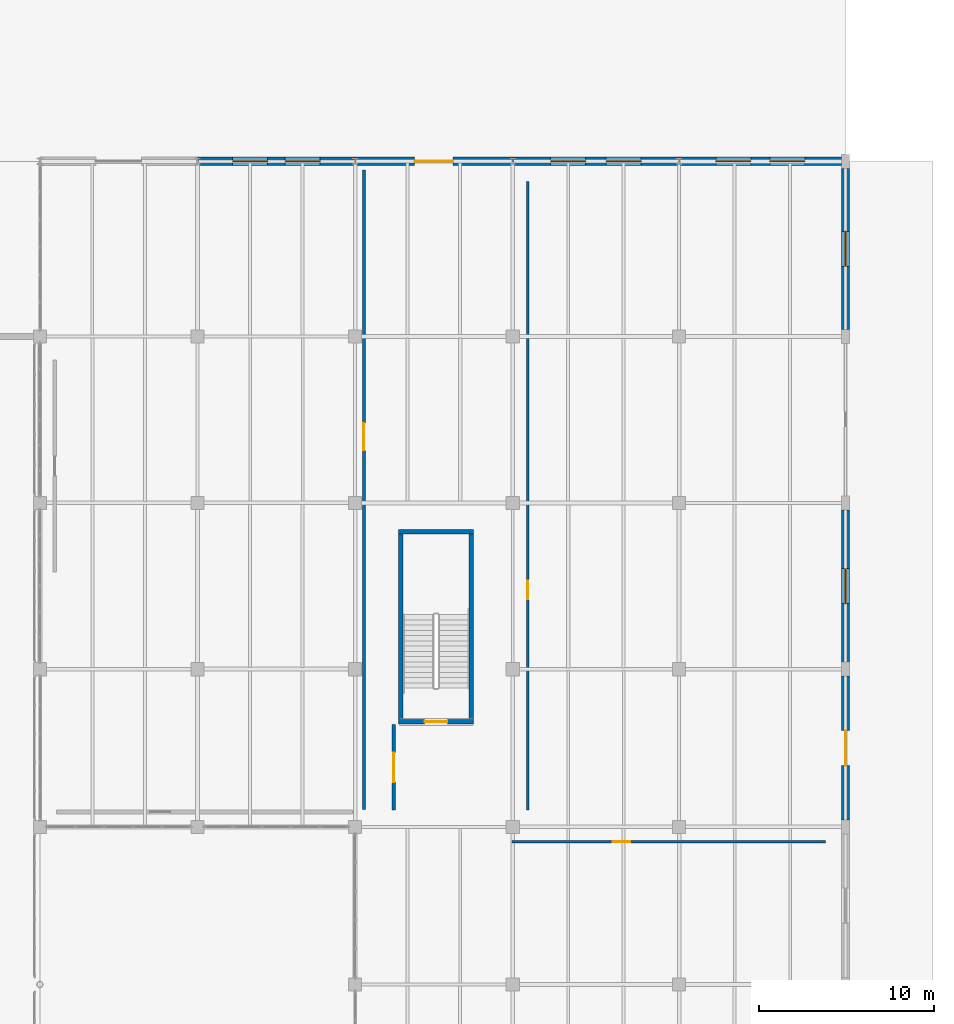
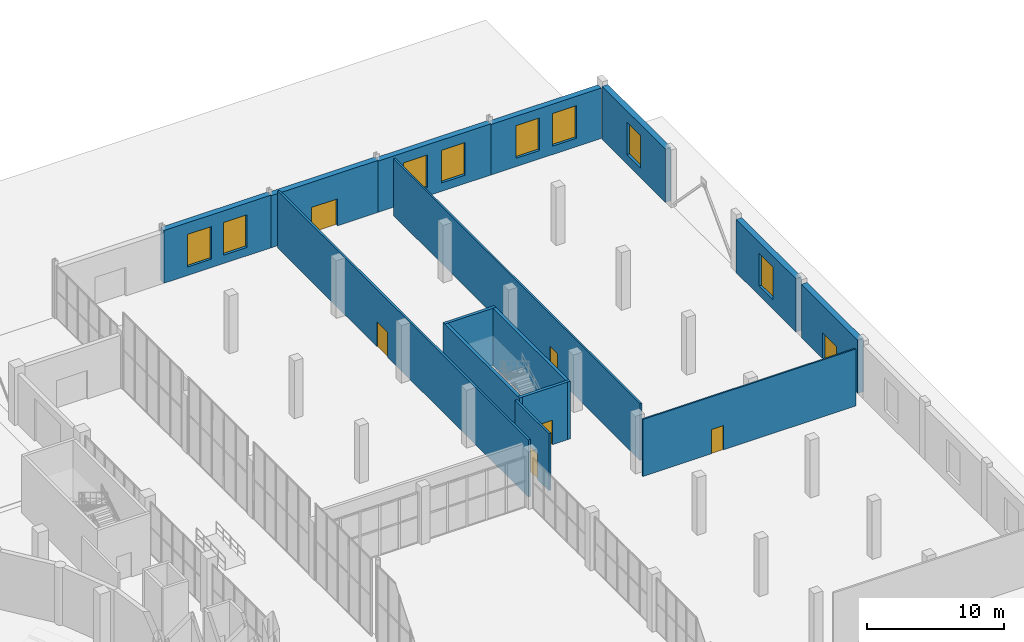
# One storey, part 89 of 103: 15 walls, 8 windows, 7 doors, 15 openings.
"""IFC4 building model written with IfcOpenShell, lengths in metres."""

import ifcopenshell
import ifcopenshell.guid

model = None  # the IFC model being written
_history = None  # IfcOwnerHistory: only IFC2X3 demands one
_inside = {}  # id of a spatial element -> (the spatial element, [elements in it])
_under = {}  # id of a project, library or spatial element -> (it, [spatial elements below it])
_declared = {}  # id of a project -> (the project, [libraries it declares])
_typed = {}  # id of a type object -> (the type object, [elements of that type])
_made_of = {}  # id of a material, layer set ... -> (it, [elements and type objects made of it])


def new_model(schema):
    """Start an empty IFC model of exactly this schema.

    Asked for "IFC4X3", IfcOpenShell would pick the latest addendum, in which some entities
    have other attributes; the version numbers below select the first issue.
    IFC2X3 requires an IfcOwnerHistory on every rooted entity: one is made here for all.
    """
    global model, _history
    if schema == "IFC4X3":
        model = ifcopenshell.file(schema_version=(4, 3, 0, 0))
    else:
        model = ifcopenshell.file(schema=schema)
    _inside.clear()
    _under.clear()
    _declared.clear()
    _typed.clear()
    _made_of.clear()
    _history = None
    if model.schema == "IFC2X3":
        org = make("IfcOrganization", Name="unknown")
        user = make(
            "IfcPersonAndOrganization",
            ThePerson=make("IfcPerson", FamilyName="unknown"),
            TheOrganization=org,
        )
        app = make(
            "IfcApplication",
            ApplicationDeveloper=org,
            Version="unknown",
            ApplicationFullName="unknown",
            ApplicationIdentifier="unknown",
        )
        _history = make(
            "IfcOwnerHistory",
            OwningUser=user,
            OwningApplication=app,
            ChangeAction="ADDED",
            CreationDate=0,
        )
    return model


def make(cls, **values):
    """One entity of the class cls with the attributes given. An attribute that is None is left unset."""
    return model.create_entity(
        cls, **{name: value for name, value in values.items() if value is not None}
    )


def rooted(cls, **values):
    """An entity with a GlobalId (a new one), such as an element, a storey or a relation."""
    return make(cls, GlobalId=ifcopenshell.guid.new(), OwnerHistory=_history, **values)


def si_unit(unit_type, name, prefix=None):
    """IfcSIUnit, for example si_unit("LENGTHUNIT", "METRE", prefix="MILLI")."""
    return make("IfcSIUnit", UnitType=unit_type, Prefix=prefix, Name=name)


def assignment(units):
    """IfcUnitAssignment: the units of a project."""
    return None if units is None else make("IfcUnitAssignment", Units=units)


def point(xyz):
    """IfcCartesianPoint."""
    return None if xyz is None else make("IfcCartesianPoint", Coordinates=xyz)


def direction(xyz):
    """IfcDirection."""
    return None if xyz is None else make("IfcDirection", DirectionRatios=xyz)


def frame(location, z_axis=None, x_axis=None):
    """IfcAxis2Placement3D, a coordinate frame: its origin and axes. An axis left out is left unset."""
    return make(
        "IfcAxis2Placement3D",
        Location=point(location),
        Axis=direction(z_axis),
        RefDirection=direction(x_axis),
    )


def frame_2d(location, x_axis=None):
    """IfcAxis2Placement2D, a coordinate frame in the plane: its origin and x axis."""
    return make(
        "IfcAxis2Placement2D", Location=point(location), RefDirection=direction(x_axis)
    )


def origin():
    """The frame at (0, 0, 0) with its axes left unset."""
    return frame((0.0, 0.0, 0.0))


def place(relative_to, where):
    """IfcLocalPlacement: puts the frame where relative to a parent placement (None: the world)."""
    return make(
        "IfcLocalPlacement", PlacementRelTo=relative_to, RelativePlacement=where
    )


def context(
    kind, dimensions, precision=None, world=None, true_north=None, identifier=None
):
    """IfcGeometricRepresentationContext, for example the 3D "Model" context."""
    return make(
        "IfcGeometricRepresentationContext",
        ContextIdentifier=identifier,
        ContextType=kind,
        CoordinateSpaceDimension=dimensions,
        Precision=precision,
        WorldCoordinateSystem=world,
        TrueNorth=true_north,
    )


def subcontext(parent, identifier, kind, view, scale=None):
    """IfcGeometricRepresentationSubContext, for example "Body" below "Model"."""
    return make(
        "IfcGeometricRepresentationSubContext",
        ContextIdentifier=identifier,
        ContextType=kind,
        ParentContext=parent,
        TargetScale=scale,
        TargetView=view,
    )


def project(units=None, contexts=None):
    """IfcProject with its units and contexts."""
    return rooted(
        "IfcProject",
        Name="project",
        RepresentationContexts=contexts,
        UnitsInContext=assignment(units),
    )


def spatial(cls, under=None, at=None, **own):
    """A site, building, storey or space (cls), placed at a placement, below another one or the project."""
    s = rooted(cls, ObjectPlacement=at, **own)
    if under is not None:
        _under.setdefault(under.id(), (under, []))[1].append(s)
    return s


def profile(cls, at=None, kind="AREA", **sizes):
    """A parametric profile (cls). Its sizes go by their IFC names, for example OverallWidth=200.0."""
    return make(cls, ProfileType=kind, Position=at, **sizes)


def rectangle(**sizes):
    """IfcRectangleProfileDef."""
    return profile("IfcRectangleProfileDef", **sizes)


def extrude(swept, where, along, depth):
    """IfcExtrudedAreaSolid: the profile swept, set in the frame where, extruded along a direction by depth."""
    return make(
        "IfcExtrudedAreaSolid",
        SweptArea=swept,
        Position=where,
        ExtrudedDirection=direction(along),
        Depth=depth,
    )


def shape(context_of_items, identifier, shape_type, items):
    """IfcShapeRepresentation: the items that make up one representation, for example the "Body"."""
    return make(
        "IfcShapeRepresentation",
        ContextOfItems=context_of_items,
        RepresentationIdentifier=identifier,
        RepresentationType=shape_type,
        Items=items,
    )


def material(Name=None, Category=None):
    """IfcMaterial."""
    return make("IfcMaterial", Name=Name, Category=Category)


def layer(
    of_material, thickness, ventilated=None, Name=None, Category=None, Priority=None
):
    """IfcMaterialLayer: one layer of a wall or slab, of a material (None: an air gap)."""
    return make(
        "IfcMaterialLayer",
        Material=of_material,
        LayerThickness=thickness,
        IsVentilated=ventilated,
        Name=Name,
        Category=Category,
        Priority=Priority,
    )


def layer_set(layers, Name=None):
    """IfcMaterialLayerSet."""
    return make("IfcMaterialLayerSet", MaterialLayers=layers, LayerSetName=Name)


def made_of(thing, what):
    """Note that an element or type object is made of a material, layer set ...; save() writes the relation."""
    if what is not None:
        _made_of.setdefault(what.id(), (what, []))[1].append(thing)
    return thing


def type_object(cls, material=None, **own):
    """A type object (cls), such as IfcWallType, which elements share."""
    return made_of(rooted(cls, **own), material)


def element(
    cls,
    number,
    at=None,
    inside=None,
    cuts=None,
    type_object=None,
    material=None,
    context=None,
    identifier="Body",
    shape_type=None,
    held_by="IfcProductDefinitionShape",
    body=None,
    shapes=None,
    **own,
):
    """One element of the class cls, such as IfcWall. Its Tag is "e" and its number.

    at: its placement. inside: the storey or other place that contains it. cuts: it is an
    opening in that element (IfcRelVoidsElement). A single representation is given by context,
    identifier, shape_type and body (its items); several are given by shapes. held_by: the class
    of the entity that holds the representations. save() writes the other relations.
    """
    e = rooted(cls, Tag="e%d" % number, ObjectPlacement=at, **own)
    if body is not None:
        shapes = [shape(context, identifier, shape_type, body)]
    if shapes is not None:
        e.Representation = make(held_by, Representations=shapes)
    if inside is not None:
        _inside.setdefault(inside.id(), (inside, []))[1].append(e)
    if cuts is not None:
        rooted(
            "IfcRelVoidsElement", RelatingBuildingElement=cuts, RelatedOpeningElement=e
        )
    if type_object is not None:
        _typed.setdefault(type_object.id(), (type_object, []))[1].append(e)
    return made_of(e, material)


def fill(opening, filler):
    """IfcRelFillsElement: the door or window that sits in an opening."""
    return rooted(
        "IfcRelFillsElement",
        RelatingOpeningElement=opening,
        RelatedBuildingElement=filler,
    )


def aggregate(whole, parts):
    """IfcRelAggregates: a whole, such as a stair, and the parts it consists of."""
    return rooted("IfcRelAggregates", RelatingObject=whole, RelatedObjects=parts)


def save(model, path):
    """Write the relations noted so far, then the file.

    IfcRelAggregates (storeys below a building ...), IfcRelContainedInSpatialStructure (elements
    in a storey), IfcRelDefinesByType, IfcRelAssociatesMaterial and IfcRelDeclares: one each for
    every whole, place, type object, material and project.
    """
    for whole, parts in _under.values():
        aggregate(whole, parts)
    for where, things in _inside.values():
        rooted(
            "IfcRelContainedInSpatialStructure",
            RelatedElements=things,
            RelatingStructure=where,
        )
    for kind, things in _typed.values():
        rooted("IfcRelDefinesByType", RelatedObjects=things, RelatingType=kind)
    for what, things in _made_of.values():
        rooted("IfcRelAssociatesMaterial", RelatedObjects=things, RelatingMaterial=what)
    for by, libraries in _declared.values():
        rooted("IfcRelDeclares", RelatingContext=by, RelatedDefinitions=libraries)
    model.write(path)


model = new_model("IFC4")

# Units and contexts
model_context = context("Model", 3, precision=1e-05, world=origin(), true_north=direction((0.0, 1.0)))
body_context = subcontext(model_context, "Body", "Model", "MODEL_VIEW")
ifc_project = project(units=[si_unit("LENGTHUNIT", "METRE"), si_unit("AREAUNIT", "SQUARE_METRE"), si_unit("VOLUMEUNIT", "CUBIC_METRE"), si_unit("PLANEANGLEUNIT", "RADIAN"), si_unit("MASSUNIT", "GRAM", prefix="KILO")], contexts=[model_context])

# Site, building, storey
site_placement = place(None, origin())
site = spatial("IfcSite", under=ifc_project, at=site_placement, CompositionType="ELEMENT")
building_placement = place(site_placement, origin())
building = spatial("IfcBuilding", under=site, at=building_placement, Name="Marnock Terrace Opera House", CompositionType="ELEMENT")
storey_placement = place(building_placement, origin())
storey = spatial("IfcBuildingStorey", under=building, at=storey_placement, Name="L00", CompositionType="ELEMENT", Elevation=0.0)

# Wall, opening, door
ifc_material_1 = material(Name="Carey Gully rusticated stone masonry", Category="masonry")
ifc_layer_1 = layer(ifc_material_1, 0.47998046875)
ifc_layer_set_1 = layer_set([ifc_layer_1], Name="Carey Gully rusticated stone masonry")
wall_type_1 = type_object("IfcWallType", Name="EW-BASE-480", PredefinedType="SOLIDWALL", material=ifc_layer_set_1)
wall_1_placement = place(storey_placement, frame((164.0, 66.39599609375, 0.0), z_axis=(0.0, 0.0, 1.0), x_axis=(0.0, 1.0, 0.0)))
wall_1 = element("IfcWall", 1, at=wall_1_placement, inside=storey, type_object=wall_type_1, Name="L00 Volume 5 east sandstone facade 8", PredefinedType="SOLIDWALL", context=body_context, shape_type="SweptSolid", body=[
    extrude(rectangle(XDim=8.2080078125, YDim=0.47998046875, at=frame_2d((4.10400390625, 0.0))), origin(), (0.0, 0.0, 1.0), 4.7314453125),
])
opening_1_placement = place(wall_1_placement, frame((3.10400390625, 0.0, 0.0)))
opening_1 = element("IfcOpeningElement", 2, at=opening_1_placement, cuts=wall_1, Name="Opening ED-16", PredefinedType="OPENING", context=body_context, shape_type="SweptSolid", body=[
    extrude(rectangle(XDim=2.0, YDim=2.300048828125, at=frame_2d((1.0, 1.14990234375))), frame((0.0, 0.25, 0.0), z_axis=(0.0, -1.0, 0.0), x_axis=(1.0, 0.0, 0.0)), (0.0, 0.0, 1.0), 0.5),
])
ifc_material_2 = material(Name="Anodised architectural bronze aluminium framing", Category="aluminium")
door_type_1 = type_object("IfcDoorType", Name="DT-EXIT-2000", OperationType="NOTDEFINED", PredefinedType="DOOR", material=ifc_material_2)
door_1_placement = place(opening_1_placement, origin())
door_1 = element("IfcDoor", 3, at=door_1_placement, inside=storey, type_object=door_type_1, Name="Exterior door ED-16", OperationType="DOUBLE_DOOR_SINGLE_SWING", OverallHeight=2.300048828125, OverallWidth=2.0, PredefinedType="DOOR", context=body_context, shape_type="SweptSolid", body=[
    extrude(rectangle(XDim=2.0, YDim=2.300048828125, at=frame_2d((1.0, 1.14990234375))), frame((0.0, 0.02490234375, 0.0), z_axis=(0.0, -1.0, 0.0), x_axis=(1.0, 0.0, 0.0)), (0.0, 0.0, 1.0), 0.050048828125),
])
fill(opening_1, door_1)

# Wall, opening, window
wall_2_placement = place(storey_placement, frame((164.0, 75.39599609375, 0.0), z_axis=(0.0, 0.0, 1.0), x_axis=(0.0, 1.0, 0.0)))
wall_2 = element("IfcWall", 4, at=wall_2_placement, inside=storey, type_object=wall_type_1, Name="L00 Volume 5 east sandstone facade 9", PredefinedType="SOLIDWALL", context=body_context, shape_type="SweptSolid", body=[
    extrude(rectangle(XDim=8.7080078125, YDim=0.47998046875, at=frame_2d((4.35400390625, 0.0))), origin(), (0.0, 0.0, 1.0), 4.7314453125),
])
opening_2_placement = place(wall_2_placement, frame((3.35400390625, 0.0, 0.85009765625)))
opening_2 = element("IfcOpeningElement", 5, at=opening_2_placement, cuts=wall_2, Name="Opening WT-59", PredefinedType="OPENING", context=body_context, shape_type="SweptSolid", body=[
    extrude(rectangle(XDim=2.0, YDim=2.89990234375, at=frame_2d((1.0, 1.449951171875))), frame((0.0, 0.25, 0.0), z_axis=(0.0, -1.0, 0.0), x_axis=(1.0, 0.0, 0.0)), (0.0, 0.0, 1.0), 0.5),
])
ifc_material_3 = material(Name="Double-glazed acoustic low-E laminated glass", Category="glass")
window_type = type_object("IfcWindowType", Name="WT-ARCH-2000", PartitioningType="DOUBLE_PANEL_VERTICAL", PredefinedType="WINDOW", material=ifc_material_3)
window_1_placement = place(opening_2_placement, origin())
window_1 = element("IfcWindow", 6, at=window_1_placement, inside=storey, type_object=window_type, Name="L00 facade window EW-V5E-L00-09.1", OverallHeight=2.89990234375, OverallWidth=2.0, PartitioningType="SINGLE_PANEL", PredefinedType="WINDOW", context=body_context, shape_type="SweptSolid", body=[
    extrude(rectangle(XDim=2.0, YDim=2.89990234375, at=frame_2d((1.0, 1.449951171875))), frame((0.0, 0.030029296875, 0.0), z_axis=(0.0, -1.0, 0.0), x_axis=(1.0, 0.0, 0.0)), (0.0, 0.0, 1.0), 0.06005859375),
])
fill(opening_2, window_1)

wall_3_placement = place(storey_placement, frame((164.0, 94.39599609375, 0.0), z_axis=(0.0, 0.0, 1.0), x_axis=(0.0, 1.0, 0.0)))
wall_3 = element("IfcWall", 7, at=wall_3_placement, inside=storey, type_object=wall_type_1, Name="L00 Volume 5 east sandstone facade 11", PredefinedType="SOLIDWALL", context=body_context, shape_type="SweptSolid", body=[
    extrude(rectangle(XDim=9.2080078125, YDim=0.47998046875, at=frame_2d((4.60400390625, 0.0))), origin(), (0.0, 0.0, 1.0), 4.7314453125),
])
opening_3_placement = place(wall_3_placement, frame((3.60400390625, 0.0, 0.85009765625)))
opening_3 = element("IfcOpeningElement", 8, at=opening_3_placement, cuts=wall_3, Name="Opening WT-59", PredefinedType="OPENING", context=body_context, shape_type="SweptSolid", body=[
    extrude(rectangle(XDim=2.0, YDim=2.89990234375, at=frame_2d((1.0, 1.449951171875))), frame((0.0, 0.25, 0.0), z_axis=(0.0, -1.0, 0.0), x_axis=(1.0, 0.0, 0.0)), (0.0, 0.0, 1.0), 0.5),
])
window_2_placement = place(opening_3_placement, origin())
window_2 = element("IfcWindow", 9, at=window_2_placement, inside=storey, type_object=window_type, Name="L00 facade window EW-V5E-L00-11.1", OverallHeight=2.89990234375, OverallWidth=2.0, PartitioningType="SINGLE_PANEL", PredefinedType="WINDOW", context=body_context, shape_type="SweptSolid", body=[
    extrude(rectangle(XDim=2.0, YDim=2.89990234375, at=frame_2d((1.0, 1.449951171875))), frame((0.0, 0.030029296875, 0.0), z_axis=(0.0, -1.0, 0.0), x_axis=(1.0, 0.0, 0.0)), (0.0, 0.0, 1.0), 0.06005859375),
])
fill(opening_3, window_2)

# Wall, openings, windows
wall_4_placement = place(storey_placement, frame((127.0, 104.0, 0.0), z_axis=(0.0, 0.0, 1.0), x_axis=(1.0, 0.0, 0.0)))
wall_4 = element("IfcWall", 10, at=wall_4_placement, inside=storey, type_object=wall_type_1, Name="L00 Volume 5 north parklands facade 2", PredefinedType="SOLIDWALL", context=body_context, shape_type="SweptSolid", body=[
    extrude(rectangle(XDim=9.0, YDim=0.47998046875, at=frame_2d((4.5, 0.0))), origin(), (0.0, 0.0, 1.0), 4.6875),
])
opening_4_placement = place(wall_4_placement, frame((2.0, 0.0, 0.75)))
opening_4 = element("IfcOpeningElement", 11, at=opening_4_placement, cuts=wall_4, Name="Opening WT-59", PredefinedType="OPENING", context=body_context, shape_type="SweptSolid", body=[
    extrude(rectangle(XDim=2.0, YDim=2.89990234375, at=frame_2d((1.0, 1.449951171875))), frame((0.0, 0.25, 0.0), z_axis=(0.0, -1.0, 0.0), x_axis=(1.0, 0.0, 0.0)), (0.0, 0.0, 1.0), 0.5),
])
opening_5_placement = place(wall_4_placement, frame((5.0, 0.0, 0.75)))
opening_5 = element("IfcOpeningElement", 12, at=opening_5_placement, cuts=wall_4, Name="Opening WT-59", PredefinedType="OPENING", context=body_context, shape_type="SweptSolid", body=[
    extrude(rectangle(XDim=2.0, YDim=2.89990234375, at=frame_2d((1.0, 1.449951171875))), frame((0.0, 0.25, 0.0), z_axis=(0.0, -1.0, 0.0), x_axis=(1.0, 0.0, 0.0)), (0.0, 0.0, 1.0), 0.5),
])
window_3_placement = place(opening_4_placement, origin())
window_3 = element("IfcWindow", 13, at=window_3_placement, inside=storey, type_object=window_type, Name="L00 facade window EW-V5N-L00-2.1", OverallHeight=2.89990234375, OverallWidth=2.0, PartitioningType="SINGLE_PANEL", PredefinedType="WINDOW", context=body_context, shape_type="SweptSolid", body=[
    extrude(rectangle(XDim=2.0, YDim=2.89990234375, at=frame_2d((1.0, 1.449951171875))), frame((0.0, 0.030029296875, 0.0), z_axis=(0.0, -1.0, 0.0), x_axis=(1.0, 0.0, 0.0)), (0.0, 0.0, 1.0), 0.06005859375),
])
fill(opening_4, window_3)
window_4_placement = place(opening_5_placement, origin())
window_4 = element("IfcWindow", 14, at=window_4_placement, inside=storey, type_object=window_type, Name="L00 facade window EW-V5N-L00-2.2", OverallHeight=2.89990234375, OverallWidth=2.0, PartitioningType="SINGLE_PANEL", PredefinedType="WINDOW", context=body_context, shape_type="SweptSolid", body=[
    extrude(rectangle(XDim=2.0, YDim=2.89990234375, at=frame_2d((1.0, 1.449951171875))), frame((0.0, 0.030029296875, 0.0), z_axis=(0.0, -1.0, 0.0), x_axis=(1.0, 0.0, 0.0)), (0.0, 0.0, 1.0), 0.06005859375),
])
fill(opening_5, window_4)

# Wall, opening, door
wall_5_placement = place(storey_placement, frame((136.0, 104.0, 0.0), z_axis=(0.0, 0.0, 1.0), x_axis=(1.0, 0.0, 0.0)))
wall_5 = element("IfcWall", 15, at=wall_5_placement, inside=storey, type_object=wall_type_1, Name="L00 Volume 5 north parklands facade 3", PredefinedType="SOLIDWALL", context=body_context, shape_type="SweptSolid", body=[
    extrude(rectangle(XDim=9.0, YDim=0.47998046875, at=frame_2d((4.5, 0.0))), origin(), (0.0, 0.0, 1.0), 4.629638671875),
])
opening_6_placement = place(wall_5_placement, frame((3.39990234375, 0.0, 0.0)))
opening_6 = element("IfcOpeningElement", 16, at=opening_6_placement, cuts=wall_5, Name="Opening ED-22", PredefinedType="OPENING", context=body_context, shape_type="SweptSolid", body=[
    extrude(rectangle(XDim=2.199951171875, YDim=2.39990234375, at=frame_2d((1.10009765625, 1.199951171875))), frame((0.0, 0.25, 0.0), z_axis=(0.0, -1.0, 0.0), x_axis=(1.0, 0.0, 0.0)), (0.0, 0.0, 1.0), 0.5),
])
door_type_2 = type_object("IfcDoorType", Name="DT-EXIT-2200", OperationType="NOTDEFINED", PredefinedType="DOOR", material=ifc_material_2)
door_2_placement = place(opening_6_placement, origin())
door_2 = element("IfcDoor", 17, at=door_2_placement, inside=storey, type_object=door_type_2, Name="Exterior door ED-22", OperationType="DOUBLE_DOOR_SINGLE_SWING", OverallHeight=2.39990234375, OverallWidth=2.199951171875, PredefinedType="DOOR", context=body_context, shape_type="SweptSolid", body=[
    extrude(rectangle(XDim=2.199951171875, YDim=2.39990234375, at=frame_2d((1.10009765625, 1.199951171875))), frame((0.0, 0.02490234375, 0.0), z_axis=(0.0, -1.0, 0.0), x_axis=(1.0, 0.0, 0.0)), (0.0, 0.0, 1.0), 0.050048828125),
])
fill(opening_6, door_2)

# Wall, openings, windows
wall_6_placement = place(storey_placement, frame((145.0, 104.0, 0.0), z_axis=(0.0, 0.0, 1.0), x_axis=(1.0, 0.0, 0.0)))
wall_6 = element("IfcWall", 18, at=wall_6_placement, inside=storey, type_object=wall_type_1, Name="L00 Volume 5 north parklands facade 4", PredefinedType="SOLIDWALL", context=body_context, shape_type="SweptSolid", body=[
    extrude(rectangle(XDim=9.5, YDim=0.47998046875, at=frame_2d((4.75, 0.0))), origin(), (0.0, 0.0, 1.0), 4.556884765625),
])
opening_7_placement = place(wall_6_placement, frame((2.166748046875, 0.0, 0.75)))
opening_7 = element("IfcOpeningElement", 19, at=opening_7_placement, cuts=wall_6, Name="Opening WT-59", PredefinedType="OPENING", context=body_context, shape_type="SweptSolid", body=[
    extrude(rectangle(XDim=2.0, YDim=2.89990234375, at=frame_2d((1.0, 1.449951171875))), frame((0.0, 0.25, 0.0), z_axis=(0.0, -1.0, 0.0), x_axis=(1.0, 0.0, 0.0)), (0.0, 0.0, 1.0), 0.5),
])
opening_8_placement = place(wall_6_placement, frame((5.333251953125, 0.0, 0.75)))
opening_8 = element("IfcOpeningElement", 20, at=opening_8_placement, cuts=wall_6, Name="Opening WT-59", PredefinedType="OPENING", context=body_context, shape_type="SweptSolid", body=[
    extrude(rectangle(XDim=2.0, YDim=2.89990234375, at=frame_2d((1.0, 1.449951171875))), frame((0.0, 0.25, 0.0), z_axis=(0.0, -1.0, 0.0), x_axis=(1.0, 0.0, 0.0)), (0.0, 0.0, 1.0), 0.5),
])
window_5_placement = place(opening_7_placement, origin())
window_5 = element("IfcWindow", 21, at=window_5_placement, inside=storey, type_object=window_type, Name="L00 facade window EW-V5N-L00-4.1", OverallHeight=2.89990234375, OverallWidth=2.0, PartitioningType="SINGLE_PANEL", PredefinedType="WINDOW", context=body_context, shape_type="SweptSolid", body=[
    extrude(rectangle(XDim=2.0, YDim=2.89990234375, at=frame_2d((1.0, 1.449951171875))), frame((0.0, 0.030029296875, 0.0), z_axis=(0.0, -1.0, 0.0), x_axis=(1.0, 0.0, 0.0)), (0.0, 0.0, 1.0), 0.06005859375),
])
fill(opening_7, window_5)
window_6_placement = place(opening_8_placement, origin())
window_6 = element("IfcWindow", 22, at=window_6_placement, inside=storey, type_object=window_type, Name="L00 facade window EW-V5N-L00-4.2", OverallHeight=2.89990234375, OverallWidth=2.0, PartitioningType="SINGLE_PANEL", PredefinedType="WINDOW", context=body_context, shape_type="SweptSolid", body=[
    extrude(rectangle(XDim=2.0, YDim=2.89990234375, at=frame_2d((1.0, 1.449951171875))), frame((0.0, 0.030029296875, 0.0), z_axis=(0.0, -1.0, 0.0), x_axis=(1.0, 0.0, 0.0)), (0.0, 0.0, 1.0), 0.06005859375),
])
fill(opening_8, window_6)

wall_7_placement = place(storey_placement, frame((154.5, 104.0, 0.0), z_axis=(0.0, 0.0, 1.0), x_axis=(1.0, 0.0, 0.0)))
wall_7 = element("IfcWall", 23, at=wall_7_placement, inside=storey, type_object=wall_type_1, Name="L00 Volume 5 north parklands facade 5", PredefinedType="SOLIDWALL", context=body_context, shape_type="SweptSolid", body=[
    extrude(rectangle(XDim=9.279052734375, YDim=0.47998046875, at=frame_2d((4.6396484375, 0.0))), origin(), (0.0, 0.0, 1.0), 4.48291015625),
])
opening_9_placement = place(wall_7_placement, frame((2.093017578125, 0.0, 0.75)))
opening_9 = element("IfcOpeningElement", 24, at=opening_9_placement, cuts=wall_7, Name="Opening WT-59", PredefinedType="OPENING", context=body_context, shape_type="SweptSolid", body=[
    extrude(rectangle(XDim=2.0, YDim=2.89990234375, at=frame_2d((1.0, 1.449951171875))), frame((0.0, 0.25, 0.0), z_axis=(0.0, -1.0, 0.0), x_axis=(1.0, 0.0, 0.0)), (0.0, 0.0, 1.0), 0.5),
])
opening_10_placement = place(wall_7_placement, frame((5.18603515625, 0.0, 0.75)))
opening_10 = element("IfcOpeningElement", 25, at=opening_10_placement, cuts=wall_7, Name="Opening WT-59", PredefinedType="OPENING", context=body_context, shape_type="SweptSolid", body=[
    extrude(rectangle(XDim=2.0, YDim=2.89990234375, at=frame_2d((1.0, 1.449951171875))), frame((0.0, 0.25, 0.0), z_axis=(0.0, -1.0, 0.0), x_axis=(1.0, 0.0, 0.0)), (0.0, 0.0, 1.0), 0.5),
])
window_7_placement = place(opening_9_placement, origin())
window_7 = element("IfcWindow", 26, at=window_7_placement, inside=storey, type_object=window_type, Name="L00 facade window EW-V5N-L00-5.1", OverallHeight=2.89990234375, OverallWidth=2.0, PartitioningType="SINGLE_PANEL", PredefinedType="WINDOW", context=body_context, shape_type="SweptSolid", body=[
    extrude(rectangle(XDim=2.0, YDim=2.89990234375, at=frame_2d((1.0, 1.449951171875))), frame((0.0, 0.030029296875, 0.0), z_axis=(0.0, -1.0, 0.0), x_axis=(1.0, 0.0, 0.0)), (0.0, 0.0, 1.0), 0.06005859375),
])
fill(opening_9, window_7)
window_8_placement = place(opening_10_placement, origin())
window_8 = element("IfcWindow", 27, at=window_8_placement, inside=storey, type_object=window_type, Name="L00 facade window EW-V5N-L00-5.2", OverallHeight=2.89990234375, OverallWidth=2.0, PartitioningType="SINGLE_PANEL", PredefinedType="WINDOW", context=body_context, shape_type="SweptSolid", body=[
    extrude(rectangle(XDim=2.0, YDim=2.89990234375, at=frame_2d((1.0, 1.449951171875))), frame((0.0, 0.030029296875, 0.0), z_axis=(0.0, -1.0, 0.0), x_axis=(1.0, 0.0, 0.0)), (0.0, 0.0, 1.0), 0.06005859375),
])
fill(opening_10, window_8)

# Wall, opening, door
ifc_material_4 = material(Name="Rendered acoustic concrete blockwork", Category="masonry")
ifc_layer_2 = layer(ifc_material_4, 0.175048828125)
ifc_layer_set_2 = layer_set([ifc_layer_2], Name="Rendered acoustic concrete blockwork")
wall_type_2 = type_object("IfcWallType", Name="IW-FIRE-175", PredefinedType="PARTITIONING", material=ifc_layer_set_2)
wall_8_placement = place(storey_placement, frame((136.5, 67.0, 0.0), z_axis=(0.0, 0.0, 1.0), x_axis=(0.0, 1.0, 0.0)))
wall_8 = element("IfcWall", 28, at=wall_8_placement, inside=storey, type_object=wall_type_2, Name="L00 Protected exit passageway fire wall PW-EX-C8-W", PredefinedType="PARTITIONING", context=body_context, shape_type="SweptSolid", body=[
    extrude(rectangle(XDim=36.5, YDim=0.175048828125, at=frame_2d((18.25, 0.0))), origin(), (0.0, 0.0, 1.0), 5.080078125),
])
opening_11_placement = place(wall_8_placement, frame((20.5, 0.0, 0.0)))
opening_11 = element("IfcOpeningElement", 29, at=opening_11_placement, cuts=wall_8, Name="Opening PD-EX-C8", PredefinedType="OPENING", context=body_context, shape_type="SweptSolid", body=[
    extrude(rectangle(XDim=1.550048828125, YDim=2.219970703125, at=frame_2d((0.77490234375, 1.10986328125))), frame((0.0, 0.097412109375, 0.0), z_axis=(0.0, -1.0, 0.0), x_axis=(1.0, 0.0, 0.0)), (0.0, 0.0, 1.0), 0.195068359375),
])
ifc_material_5 = material(Name="Fire-rated acoustic timber-core door assembly", Category="wood")
door_type_3 = type_object("IfcDoorType", Name="DT-LOBBY-1550", OperationType="NOTDEFINED", PredefinedType="DOOR", material=ifc_material_5)
door_3_placement = place(opening_11_placement, origin())
door_3 = element("IfcDoor", 30, at=door_3_placement, inside=storey, type_object=door_type_3, Name="L00 Protected exit passageway self-closing smoke door PD-EX-C8", OperationType="SINGLE_SWING_LEFT", OverallHeight=2.219970703125, OverallWidth=1.550048828125, PredefinedType="DOOR", context=body_context, shape_type="SweptSolid", body=[
    extrude(rectangle(XDim=1.550048828125, YDim=2.219970703125, at=frame_2d((0.77490234375, 1.10986328125))), frame((0.0, 0.02490234375, 0.0), z_axis=(0.0, -1.0, 0.0), x_axis=(1.0, 0.0, 0.0)), (0.0, 0.0, 1.0), 0.050048828125),
])
fill(opening_11, door_3)

ifc_layer_3 = layer(ifc_material_4, 0.18505859375)
ifc_layer_set_3 = layer_set([ifc_layer_3], Name="Rendered acoustic concrete blockwork")
wall_type_3 = type_object("IfcWallType", Name="IW-FIRE-185", PredefinedType="PARTITIONING", material=ifc_layer_set_3)
wall_9_placement = place(storey_placement, frame((138.199951171875, 66.949951171875, 0.0), z_axis=(0.0, 0.0, 1.0), x_axis=(0.0, 1.0, 0.0)))
wall_9 = element("IfcWall", 31, at=wall_9_placement, inside=storey, type_object=wall_type_3, Name="L00 C8 fire-rated lift and stair lobby wall", PredefinedType="PARTITIONING", context=body_context, shape_type="SweptSolid", body=[
    extrude(rectangle(XDim=4.900146484375, YDim=0.18505859375, at=frame_2d((2.4501953125, 0.0))), origin(), (0.0, 0.0, 1.0), 5.070068359375),
])
opening_12_placement = place(wall_9_placement, frame((1.610107421875, 0.0, 0.0)))
opening_12 = element("IfcOpeningElement", 32, at=opening_12_placement, cuts=wall_9, Name="Opening FD-C8-L00", PredefinedType="OPENING", context=body_context, shape_type="SweptSolid", body=[
    extrude(rectangle(XDim=1.679931640625, YDim=2.25, at=frame_2d((0.83984375, 1.125))), frame((0.0, 0.1025390625, 0.0), z_axis=(0.0, -1.0, 0.0), x_axis=(1.0, 0.0, 0.0)), (0.0, 0.0, 1.0), 0.205078125),
])
door_type_4 = type_object("IfcDoorType", Name="DT-LOBBY-1680", OperationType="NOTDEFINED", PredefinedType="DOOR", material=ifc_material_5)
door_4_placement = place(opening_12_placement, origin())
door_4 = element("IfcDoor", 33, at=door_4_placement, inside=storey, type_object=door_type_4, Name="L00 C8 lobby self-closing smoke door", OperationType="SINGLE_SWING_RIGHT", OverallHeight=2.25, OverallWidth=1.679931640625, PredefinedType="DOOR", context=body_context, shape_type="SweptSolid", body=[
    extrude(rectangle(XDim=1.679931640625, YDim=2.25, at=frame_2d((0.83984375, 1.125))), frame((0.0, 0.02490234375, 0.0), z_axis=(0.0, -1.0, 0.0), x_axis=(1.0, 0.0, 0.0)), (0.0, 0.0, 1.0), 0.050048828125),
])
fill(opening_12, door_4)

ifc_material_6 = material(Name="Double-stud acoustic plasterboard with mineral-wool infill")
ifc_layer_4 = layer(ifc_material_6, 0.1279296875)
ifc_layer_set_4 = layer_set([ifc_layer_4], Name="Double-stud acoustic plasterboard with mineral-wool infill")
wall_type_4 = type_object("IfcWallType", Name="IW-PART-128", PredefinedType="PARTITIONING", material=ifc_layer_set_4)
wall_10_placement = place(storey_placement, frame((144.949951171875, 65.14990234375, 0.0), z_axis=(0.0, 0.0, 1.0), x_axis=(1.0, 0.0, 0.0)))
wall_10 = element("IfcWall", 34, at=wall_10_placement, inside=storey, type_object=wall_type_4, Name="L00 Artists Green Room acoustic partition wall", PredefinedType="PARTITIONING", context=body_context, shape_type="SweptSolid", body=[
    extrude(rectangle(XDim=17.900146484375, YDim=0.1279296875, at=frame_2d((8.9501953125, 0.0))), origin(), (0.0, 0.0, 1.0), 5.070068359375),
])
opening_13_placement = place(wall_10_placement, frame((5.764892578125, 0.0, 0.0)))
opening_13 = element("IfcOpeningElement", 35, at=opening_13_placement, cuts=wall_10, Name="Opening D-L00-28", PredefinedType="OPENING", context=body_context, shape_type="SweptSolid", body=[
    extrude(rectangle(XDim=1.0, YDim=2.14990234375, at=frame_2d((0.5, 1.074951171875))), frame((0.0, 0.073974609375, 0.0), z_axis=(0.0, -1.0, 0.0), x_axis=(1.0, 0.0, 0.0)), (0.0, 0.0, 1.0), 0.14794921875),
])
ifc_material_7 = material(Name="Solid-core Tasmanian oak acoustic door leaf")
door_type_5 = type_object("IfcDoorType", Name="DT-ROOM-1000", OperationType="NOTDEFINED", PredefinedType="DOOR", material=ifc_material_7)
door_5_placement = place(opening_13_placement, origin())
door_5 = element("IfcDoor", 36, at=door_5_placement, inside=storey, type_object=door_type_5, Name="L00 Artists Green Room entrance door", OperationType="SINGLE_SWING_RIGHT", OverallHeight=2.14990234375, OverallWidth=1.0, PredefinedType="DOOR", context=body_context, shape_type="SweptSolid", body=[
    extrude(rectangle(XDim=1.0, YDim=2.14990234375, at=frame_2d((0.5, 1.074951171875))), frame((0.0, 0.02490234375, 0.0), z_axis=(0.0, -1.0, 0.0), x_axis=(1.0, 0.0, 0.0)), (0.0, 0.0, 1.0), 0.050048828125),
])
fill(opening_13, door_5)

ifc_layer_5 = layer(ifc_material_6, 0.14794921875)
ifc_layer_set_5 = layer_set([ifc_layer_5], Name="Double-stud acoustic plasterboard with mineral-wool infill")
wall_type_5 = type_object("IfcWallType", Name="IW-PART-148", PredefinedType="PARTITIONING", material=ifc_layer_set_5)
wall_11_placement = place(storey_placement, frame((145.85009765625, 66.949951171875, 0.0), z_axis=(0.0, 0.0, 1.0), x_axis=(0.0, 1.0, 0.0)))
wall_11 = element("IfcWall", 37, at=wall_11_placement, inside=storey, type_object=wall_type_5, Name="L00 Stage Crew Mess and Wardrobe Issue acoustic partition wall", PredefinedType="PARTITIONING", context=body_context, shape_type="SweptSolid", body=[
    extrude(rectangle(XDim=35.900146484375, YDim=0.14794921875, at=frame_2d((17.9501953125, 0.0))), origin(), (0.0, 0.0, 1.0), 5.070068359375),
])
opening_14_placement = place(wall_11_placement, frame((12.034912109375, 0.0, 0.0)))
opening_14 = element("IfcOpeningElement", 38, at=opening_14_placement, cuts=wall_11, Name="Opening D-L00-31", PredefinedType="OPENING", context=body_context, shape_type="SweptSolid", body=[
    extrude(rectangle(XDim=1.06005859375, YDim=2.199951171875, at=frame_2d((0.530029296875, 1.10009765625))), frame((0.0, 0.083984375, 0.0), z_axis=(0.0, -1.0, 0.0), x_axis=(1.0, 0.0, 0.0)), (0.0, 0.0, 1.0), 0.16796875),
])
door_type_6 = type_object("IfcDoorType", Name="DT-SUITE-1060", OperationType="NOTDEFINED", PredefinedType="DOOR", material=ifc_material_7)
door_6_placement = place(opening_14_placement, origin())
door_6 = element("IfcDoor", 39, at=door_6_placement, inside=storey, type_object=door_type_6, Name="L00 Stage Crew Mess and Wardrobe Issue entrance door", OperationType="SINGLE_SWING_LEFT", OverallHeight=2.199951171875, OverallWidth=1.06005859375, PredefinedType="DOOR", context=body_context, shape_type="SweptSolid", body=[
    extrude(rectangle(XDim=1.06005859375, YDim=2.199951171875, at=frame_2d((0.530029296875, 1.10009765625))), frame((0.0, 0.02490234375, 0.0), z_axis=(0.0, -1.0, 0.0), x_axis=(1.0, 0.0, 0.0)), (0.0, 0.0, 1.0), 0.050048828125),
])
fill(opening_14, door_6)

ifc_material_8 = material(Name="Concrete N40 (f'c = 40 MPa)", Category="concrete")
ifc_layer_6 = layer(ifc_material_8, 0.25)
ifc_layer_set_6 = layer_set([ifc_layer_6], Name="Concrete N40 (f'c = 40 MPa)")
wall_type_6 = type_object("IfcWallType", Name="SW-CORE-250", PredefinedType="SHEAR", material=ifc_layer_set_6)
wall_12_placement = place(storey_placement, frame((138.47509765625, 72.0, 0.0), z_axis=(0.0, 0.0, 1.0), x_axis=(1.0, 0.0, 0.0)))
wall_12 = element("IfcWall", 40, at=wall_12_placement, inside=storey, type_object=wall_type_6, Name="L00 Core C8 FRL 120/120/120 shear wall S", PredefinedType="SHEAR", context=body_context, shape_type="SweptSolid", body=[
    extrude(rectangle(XDim=4.289794921875, YDim=0.25, at=frame_2d((2.14501953125, 0.0))), origin(), (0.0, 0.0, 1.0), 5.1201171875),
])
opening_15_placement = place(wall_12_placement, frame((1.4951171875, 0.0, 0.0)))
opening_15 = element("IfcOpeningElement", 41, at=opening_15_placement, cuts=wall_12, Name="Opening SD-C8-L00", PredefinedType="OPENING", context=body_context, shape_type="SweptSolid", body=[
    extrude(rectangle(XDim=1.300048828125, YDim=2.179931640625, at=frame_2d((0.64990234375, 1.08984375))), frame((0.0, 0.135009765625, 0.0), z_axis=(0.0, -1.0, 0.0), x_axis=(1.0, 0.0, 0.0)), (0.0, 0.0, 1.0), 0.27001953125),
])
door_type_7 = type_object("IfcDoorType", Name="DT-STAIR-1300", OperationType="NOTDEFINED", PredefinedType="DOOR", material=ifc_material_5)
door_7_placement = place(opening_15_placement, origin())
door_7 = element("IfcDoor", 42, at=door_7_placement, inside=storey, type_object=door_type_7, Name="L00 Stair ST-08 fire-isolated exit door", OperationType="SINGLE_SWING_LEFT", OverallHeight=2.179931640625, OverallWidth=1.300048828125, PredefinedType="DOOR", context=body_context, shape_type="SweptSolid", body=[
    extrude(rectangle(XDim=1.300048828125, YDim=2.179931640625, at=frame_2d((0.64990234375, 1.08984375))), frame((0.0, 0.02490234375, 0.0), z_axis=(0.0, -1.0, 0.0), x_axis=(1.0, 0.0, 0.0)), (0.0, 0.0, 1.0), 0.050048828125),
])
fill(opening_15, door_7)

# Walls
wall_13_placement = place(storey_placement, frame((138.47509765625, 82.840087890625, 0.0), z_axis=(0.0, 0.0, 1.0), x_axis=(1.0, 0.0, 0.0)))
element("IfcWall", 43, at=wall_13_placement, inside=storey, type_object=wall_type_6, Name="L00 Core C8 FRL 120/120/120 shear wall N", PredefinedType="SHEAR", context=body_context, shape_type="SweptSolid", body=[
    extrude(rectangle(XDim=4.289794921875, YDim=0.25, at=frame_2d((2.14501953125, 0.0))), origin(), (0.0, 0.0, 1.0), 5.1201171875),
])
for number, where, z_axis, x_axis, name in (
    (44, (138.60009765625, 71.875, 0.0), (0.0, 0.0, 1.0), (0.0, 1.0, 0.0), "L00 Core C8 FRL 120/120/120 shear wall W"),
    (45, (142.639892578125, 71.875, 0.0), (0.0, 0.0, 1.0), (0.0, 1.0, 0.0), "L00 Core C8 FRL 120/120/120 shear wall E"),
):
    element("IfcWall", number, at=place(storey_placement, frame(where, z_axis=z_axis, x_axis=x_axis)), inside=storey, type_object=wall_type_6, Name=name, PredefinedType="SHEAR", context=body_context, shape_type="SweptSolid", body=[
        extrude(rectangle(XDim=11.090087890625, YDim=0.25, at=frame_2d((5.544921875, 0.0))), origin(), (0.0, 0.0, 1.0), 5.1201171875),
    ])

save(model, "model.ifc")
